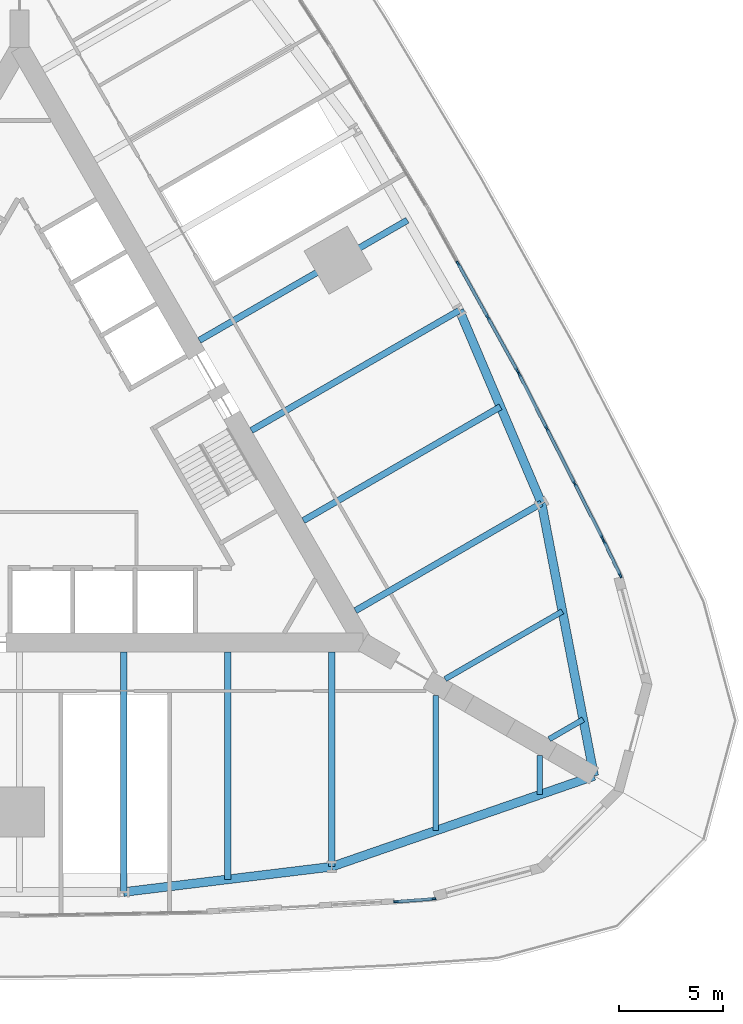
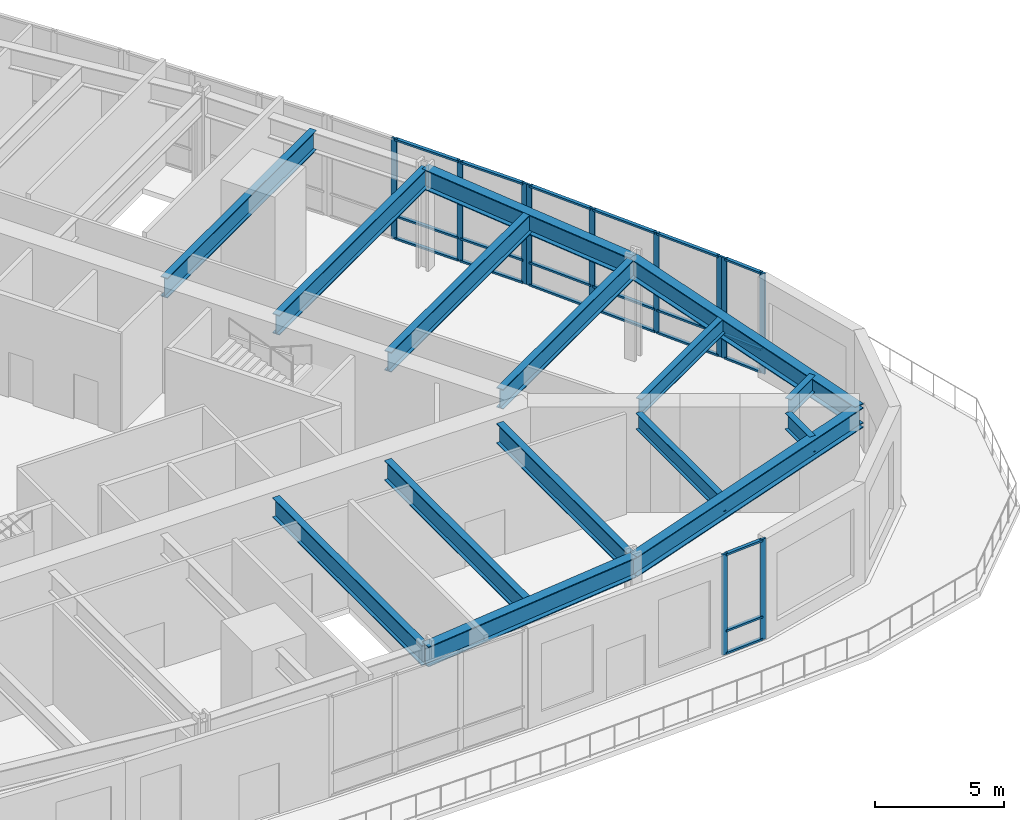
# One storey, part 3 of 13: 32 members, 15 beams, 4 elements without a shape of their own.
"""IFC4 building model written with IfcOpenShell, lengths in metres."""

import ifcopenshell
import ifcopenshell.guid

model = None  # the IFC model being written
_history = None  # IfcOwnerHistory: only IFC2X3 demands one
_inside = {}  # id of a spatial element -> (the spatial element, [elements in it])
_under = {}  # id of a project, library or spatial element -> (it, [spatial elements below it])
_declared = {}  # id of a project -> (the project, [libraries it declares])
_typed = {}  # id of a type object -> (the type object, [elements of that type])
_made_of = {}  # id of a material, layer set ... -> (it, [elements and type objects made of it])


def new_model(schema):
    """Start an empty IFC model of exactly this schema.

    Asked for "IFC4X3", IfcOpenShell would pick the latest addendum, in which some entities
    have other attributes; the version numbers below select the first issue.
    IFC2X3 requires an IfcOwnerHistory on every rooted entity: one is made here for all.
    """
    global model, _history
    if schema == "IFC4X3":
        model = ifcopenshell.file(schema_version=(4, 3, 0, 0))
    else:
        model = ifcopenshell.file(schema=schema)
    _inside.clear()
    _under.clear()
    _declared.clear()
    _typed.clear()
    _made_of.clear()
    _history = None
    if model.schema == "IFC2X3":
        org = make("IfcOrganization", Name="unknown")
        user = make(
            "IfcPersonAndOrganization",
            ThePerson=make("IfcPerson", FamilyName="unknown"),
            TheOrganization=org,
        )
        app = make(
            "IfcApplication",
            ApplicationDeveloper=org,
            Version="unknown",
            ApplicationFullName="unknown",
            ApplicationIdentifier="unknown",
        )
        _history = make(
            "IfcOwnerHistory",
            OwningUser=user,
            OwningApplication=app,
            ChangeAction="ADDED",
            CreationDate=0,
        )
    return model


def make(cls, **values):
    """One entity of the class cls with the attributes given. An attribute that is None is left unset."""
    return model.create_entity(
        cls, **{name: value for name, value in values.items() if value is not None}
    )


def rooted(cls, **values):
    """An entity with a GlobalId (a new one), such as an element, a storey or a relation."""
    return make(cls, GlobalId=ifcopenshell.guid.new(), OwnerHistory=_history, **values)


def si_unit(unit_type, name, prefix=None):
    """IfcSIUnit, for example si_unit("LENGTHUNIT", "METRE", prefix="MILLI")."""
    return make("IfcSIUnit", UnitType=unit_type, Prefix=prefix, Name=name)


def assignment(units):
    """IfcUnitAssignment: the units of a project."""
    return None if units is None else make("IfcUnitAssignment", Units=units)


def point(xyz):
    """IfcCartesianPoint."""
    return None if xyz is None else make("IfcCartesianPoint", Coordinates=xyz)


def direction(xyz):
    """IfcDirection."""
    return None if xyz is None else make("IfcDirection", DirectionRatios=xyz)


def frame(location, z_axis=None, x_axis=None):
    """IfcAxis2Placement3D, a coordinate frame: its origin and axes. An axis left out is left unset."""
    return make(
        "IfcAxis2Placement3D",
        Location=point(location),
        Axis=direction(z_axis),
        RefDirection=direction(x_axis),
    )


def frame_2d(location, x_axis=None):
    """IfcAxis2Placement2D, a coordinate frame in the plane: its origin and x axis."""
    return make(
        "IfcAxis2Placement2D", Location=point(location), RefDirection=direction(x_axis)
    )


def origin():
    """The frame at (0, 0, 0) with its axes left unset."""
    return frame((0.0, 0.0, 0.0))


def origin_2d():
    """The frame at (0, 0) in the plane with its x axis left unset."""
    return frame_2d((0.0, 0.0))


def place(relative_to, where):
    """IfcLocalPlacement: puts the frame where relative to a parent placement (None: the world)."""
    return make(
        "IfcLocalPlacement", PlacementRelTo=relative_to, RelativePlacement=where
    )


def context(
    kind, dimensions, precision=None, world=None, true_north=None, identifier=None
):
    """IfcGeometricRepresentationContext, for example the 3D "Model" context."""
    return make(
        "IfcGeometricRepresentationContext",
        ContextIdentifier=identifier,
        ContextType=kind,
        CoordinateSpaceDimension=dimensions,
        Precision=precision,
        WorldCoordinateSystem=world,
        TrueNorth=true_north,
    )


def subcontext(parent, identifier, kind, view, scale=None):
    """IfcGeometricRepresentationSubContext, for example "Body" below "Model"."""
    return make(
        "IfcGeometricRepresentationSubContext",
        ContextIdentifier=identifier,
        ContextType=kind,
        ParentContext=parent,
        TargetScale=scale,
        TargetView=view,
    )


def project(units=None, contexts=None):
    """IfcProject with its units and contexts."""
    return rooted(
        "IfcProject",
        Name="project",
        RepresentationContexts=contexts,
        UnitsInContext=assignment(units),
    )


def spatial(cls, under=None, at=None, **own):
    """A site, building, storey or space (cls), placed at a placement, below another one or the project."""
    s = rooted(cls, ObjectPlacement=at, **own)
    if under is not None:
        _under.setdefault(under.id(), (under, []))[1].append(s)
    return s


def profile(cls, at=None, kind="AREA", **sizes):
    """A parametric profile (cls). Its sizes go by their IFC names, for example OverallWidth=200.0."""
    return make(cls, ProfileType=kind, Position=at, **sizes)


def rectangle(**sizes):
    """IfcRectangleProfileDef."""
    return profile("IfcRectangleProfileDef", **sizes)


def i_section(**sizes):
    """IfcIShapeProfileDef."""
    return profile("IfcIShapeProfileDef", **sizes)


def extrude(swept, where, along, depth):
    """IfcExtrudedAreaSolid: the profile swept, set in the frame where, extruded along a direction by depth."""
    return make(
        "IfcExtrudedAreaSolid",
        SweptArea=swept,
        Position=where,
        ExtrudedDirection=direction(along),
        Depth=depth,
    )


def shape(context_of_items, identifier, shape_type, items):
    """IfcShapeRepresentation: the items that make up one representation, for example the "Body"."""
    return make(
        "IfcShapeRepresentation",
        ContextOfItems=context_of_items,
        RepresentationIdentifier=identifier,
        RepresentationType=shape_type,
        Items=items,
    )


def material(Name=None, Category=None):
    """IfcMaterial."""
    return make("IfcMaterial", Name=Name, Category=Category)


def material_profile(
    of_material, cross_section, Name=None, Category=None, Priority=None
):
    """IfcMaterialProfile: a cross section and its material."""
    return make(
        "IfcMaterialProfile",
        Name=Name,
        Material=of_material,
        Profile=cross_section,
        Priority=Priority,
        Category=Category,
    )


def profile_set(profiles, Name=None, composite=None):
    """IfcMaterialProfileSet."""
    return make(
        "IfcMaterialProfileSet",
        Name=Name,
        MaterialProfiles=profiles,
        CompositeProfile=composite,
    )


def made_of(thing, what):
    """Note that an element or type object is made of a material, layer set ...; save() writes the relation."""
    if what is not None:
        _made_of.setdefault(what.id(), (what, []))[1].append(thing)
    return thing


def type_object(cls, material=None, **own):
    """A type object (cls), such as IfcWallType, which elements share."""
    return made_of(rooted(cls, **own), material)


def element(
    cls,
    number,
    at=None,
    inside=None,
    cuts=None,
    type_object=None,
    material=None,
    context=None,
    identifier="Body",
    shape_type=None,
    held_by="IfcProductDefinitionShape",
    body=None,
    shapes=None,
    **own,
):
    """One element of the class cls, such as IfcWall. Its Tag is "e" and its number.

    at: its placement. inside: the storey or other place that contains it. cuts: it is an
    opening in that element (IfcRelVoidsElement). A single representation is given by context,
    identifier, shape_type and body (its items); several are given by shapes. held_by: the class
    of the entity that holds the representations. save() writes the other relations.
    """
    e = rooted(cls, Tag="e%d" % number, ObjectPlacement=at, **own)
    if body is not None:
        shapes = [shape(context, identifier, shape_type, body)]
    if shapes is not None:
        e.Representation = make(held_by, Representations=shapes)
    if inside is not None:
        _inside.setdefault(inside.id(), (inside, []))[1].append(e)
    if cuts is not None:
        rooted(
            "IfcRelVoidsElement", RelatingBuildingElement=cuts, RelatedOpeningElement=e
        )
    if type_object is not None:
        _typed.setdefault(type_object.id(), (type_object, []))[1].append(e)
    return made_of(e, material)


def aggregate(whole, parts):
    """IfcRelAggregates: a whole, such as a stair, and the parts it consists of."""
    return rooted("IfcRelAggregates", RelatingObject=whole, RelatedObjects=parts)


def save(model, path):
    """Write the relations noted so far, then the file.

    IfcRelAggregates (storeys below a building ...), IfcRelContainedInSpatialStructure (elements
    in a storey), IfcRelDefinesByType, IfcRelAssociatesMaterial and IfcRelDeclares: one each for
    every whole, place, type object, material and project.
    """
    for whole, parts in _under.values():
        aggregate(whole, parts)
    for where, things in _inside.values():
        rooted(
            "IfcRelContainedInSpatialStructure",
            RelatedElements=things,
            RelatingStructure=where,
        )
    for kind, things in _typed.values():
        rooted("IfcRelDefinesByType", RelatedObjects=things, RelatingType=kind)
    for what, things in _made_of.values():
        rooted("IfcRelAssociatesMaterial", RelatedObjects=things, RelatingMaterial=what)
    for by, libraries in _declared.values():
        rooted("IfcRelDeclares", RelatingContext=by, RelatedDefinitions=libraries)
    model.write(path)


model = new_model("IFC4")

# Units and contexts
model_context = context("Model", 3, precision=1e-05, world=origin(), true_north=direction((0.0, 1.0)))
body_context = subcontext(model_context, "Body", "Model", "MODEL_VIEW")
ifc_project = project(units=[si_unit("LENGTHUNIT", "METRE"), si_unit("AREAUNIT", "SQUARE_METRE"), si_unit("VOLUMEUNIT", "CUBIC_METRE"), si_unit("PLANEANGLEUNIT", "RADIAN"), si_unit("MASSUNIT", "GRAM", prefix="KILO")], contexts=[model_context])

# Site, building, storey
site_placement = place(None, origin())
site = spatial("IfcSite", under=ifc_project, at=site_placement, CompositionType="ELEMENT")
building_placement = place(site_placement, origin())
building = spatial("IfcBuilding", under=site, at=building_placement, Name="Trikona Tower", CompositionType="ELEMENT")
storey_placement = place(building_placement, frame((0.0, 0.0, 17.5)))
storey = spatial("IfcBuildingStorey", under=building, at=storey_placement, Name="L03", CompositionType="ELEMENT", Elevation=17.5)

# Curtain wall, members
ifc_material_1 = material(Name="Aluminium curtain wall system", Category="aluminium")
curtain_wall_type = type_object("IfcCurtainWallType", Name="Curtain wall PD", PredefinedType="NOTDEFINED", material=ifc_material_1)
curtain_wall_1_placement = place(storey_placement, origin())
curtain_wall_1 = element("IfcCurtainWall", 1, at=curtain_wall_1_placement, inside=storey, type_object=curtain_wall_type, Name="Curtain wall PD L03", PredefinedType="NOTDEFINED")
ifc_material_2 = material(Name="Aluminium mullion, pale anodised", Category="aluminium")
ifc_material_profile_1 = material_profile(ifc_material_2, rectangle(XDim=0.090087890625, YDim=0.25, at=origin_2d()), Name="MUL-PD")
ifc_profile_set_1 = profile_set([ifc_material_profile_1], Name="Aluminium mullion, pale anodised")
member_type_1 = type_object("IfcMemberType", Name="Mullion PD 90x250", PredefinedType="MULLION", material=ifc_profile_set_1)
member_1_placement = place(storey_placement, frame((18.09716796875, -21.983642578125, 0.0), z_axis=(0.0, 0.0, 1.0), x_axis=(-0.075775975095, 0.997124867606, 0.0)))
member_1 = element("IfcMember", 2, at=member_1_placement, type_object=member_type_1, Name="CW-PD mullion 1", PredefinedType="MULLION", context=body_context, shape_type="SweptSolid", body=[
    extrude(rectangle(XDim=0.090087890625, YDim=0.25, at=origin_2d()), origin(), (0.0, 0.0, 1.0), 4.75),
])
member_2_placement = place(storey_placement, frame((19.8876953125, -21.847412109375, 0.0), z_axis=(0.0, 0.0, 1.0), x_axis=(-0.075775975095, 0.997124867606, 0.0)))
member_2 = element("IfcMember", 3, at=member_2_placement, type_object=member_type_1, Name="CW-PD mullion 2", PredefinedType="MULLION", context=body_context, shape_type="SweptSolid", body=[
    extrude(rectangle(XDim=0.090087890625, YDim=0.25, at=origin_2d()), origin(), (0.0, 0.0, 1.0), 4.75),
])

curtain_wall_2_placement = place(storey_placement, origin())
curtain_wall_2 = element("IfcCurtainWall", 4, at=curtain_wall_2_placement, inside=storey, type_object=curtain_wall_type, Name="Curtain wall PD L03", PredefinedType="NOTDEFINED")
member_3_placement = place(storey_placement, frame((28.864501953125, -6.299560546875, 0.0), z_axis=(0.0, 0.0, 1.0), x_axis=(-0.901409662758, -0.432967227267, 0.0)))
member_3 = element("IfcMember", 5, at=member_3_placement, type_object=member_type_1, Name="CW-PD mullion 1", PredefinedType="MULLION", context=body_context, shape_type="SweptSolid", body=[
    extrude(rectangle(XDim=0.090087890625, YDim=0.25, at=origin_2d()), origin(), (0.0, 0.0, 1.0), 4.75),
])
member_4_placement = place(storey_placement, frame((28.0869140625, -4.6806640625, 0.0), z_axis=(0.0, 0.0, 1.0), x_axis=(-0.901409662758, -0.432967227267, 0.0)))
member_4 = element("IfcMember", 6, at=member_4_placement, type_object=member_type_1, Name="CW-PD mullion 2", PredefinedType="MULLION", context=body_context, shape_type="SweptSolid", body=[
    extrude(rectangle(XDim=0.090087890625, YDim=0.25, at=origin_2d()), origin(), (0.0, 0.0, 1.0), 4.75),
])

curtain_wall_3_placement = place(storey_placement, origin())
curtain_wall_3 = element("IfcCurtainWall", 7, at=curtain_wall_3_placement, inside=storey, type_object=curtain_wall_type, Name="Curtain wall PD L03", PredefinedType="NOTDEFINED")
member_5_placement = place(storey_placement, frame((27.994873046875, -4.494384765625, 0.0), z_axis=(0.0, 0.0, 1.0), x_axis=(-0.891725837511, -0.45257599441, 0.0)))
member_5 = element("IfcMember", 8, at=member_5_placement, type_object=member_type_1, Name="CW-PD mullion 1", PredefinedType="MULLION", context=body_context, shape_type="SweptSolid", body=[
    extrude(rectangle(XDim=0.090087890625, YDim=0.25, at=origin_2d()), origin(), (0.0, 0.0, 1.0), 4.75),
])
member_6_placement = place(storey_placement, frame((26.673583984375, -1.89111328125, 0.0), z_axis=(0.0, 0.0, 1.0), x_axis=(-0.891725837511, -0.45257599441, 0.0)))
member_6 = element("IfcMember", 9, at=member_6_placement, type_object=member_type_1, Name="CW-PD mullion 2", PredefinedType="MULLION", context=body_context, shape_type="SweptSolid", body=[
    extrude(rectangle(XDim=0.090087890625, YDim=0.25, at=origin_2d()), origin(), (0.0, 0.0, 1.0), 4.75),
])
member_7_placement = place(storey_placement, frame((25.33203125, 0.752197265625, 0.0), z_axis=(0.0, 0.0, 1.0), x_axis=(-0.891725837511, -0.45257599441, 0.0)))
member_7 = element("IfcMember", 10, at=member_7_placement, type_object=member_type_1, Name="CW-PD mullion 3", PredefinedType="MULLION", context=body_context, shape_type="SweptSolid", body=[
    extrude(rectangle(XDim=0.090087890625, YDim=0.25, at=origin_2d()), origin(), (0.0, 0.0, 1.0), 4.75),
])
member_8_placement = place(storey_placement, frame((24.010986328125, 3.35546875, 0.0), z_axis=(0.0, 0.0, 1.0), x_axis=(-0.891725837511, -0.45257599441, 0.0)))
member_8 = element("IfcMember", 11, at=member_8_placement, type_object=member_type_1, Name="CW-PD mullion 4", PredefinedType="MULLION", context=body_context, shape_type="SweptSolid", body=[
    extrude(rectangle(XDim=0.090087890625, YDim=0.25, at=origin_2d()), origin(), (0.0, 0.0, 1.0), 4.75),
])

curtain_wall_4_placement = place(storey_placement, origin())
curtain_wall_4 = element("IfcCurtainWall", 12, at=curtain_wall_4_placement, inside=storey, type_object=curtain_wall_type, Name="Curtain wall PD L03", PredefinedType="NOTDEFINED")
member_9_placement = place(storey_placement, frame((23.914306640625, 3.537841796875, 0.0), z_axis=(0.0, 0.0, 1.0), x_axis=(-0.874884432916, -0.484331734497, 0.0)))
member_9 = element("IfcMember", 13, at=member_9_placement, type_object=member_type_1, Name="CW-PD mullion 1", PredefinedType="MULLION", context=body_context, shape_type="SweptSolid", body=[
    extrude(rectangle(XDim=0.090087890625, YDim=0.25, at=origin_2d()), origin(), (0.0, 0.0, 1.0), 4.75),
])
member_10_placement = place(storey_placement, frame((22.502197265625, 6.088623046875, 0.0), z_axis=(0.0, 0.0, 1.0), x_axis=(-0.874884432916, -0.484331734497, 0.0)))
member_10 = element("IfcMember", 14, at=member_10_placement, type_object=member_type_1, Name="CW-PD mullion 2", PredefinedType="MULLION", context=body_context, shape_type="SweptSolid", body=[
    extrude(rectangle(XDim=0.090087890625, YDim=0.25, at=origin_2d()), origin(), (0.0, 0.0, 1.0), 4.75),
])
member_11_placement = place(storey_placement, frame((21.068359375, 8.6787109375, 0.0), z_axis=(0.0, 0.0, 1.0), x_axis=(-0.874884432916, -0.484331734497, 0.0)))
member_11 = element("IfcMember", 15, at=member_11_placement, type_object=member_type_1, Name="CW-PD mullion 3", PredefinedType="MULLION", context=body_context, shape_type="SweptSolid", body=[
    extrude(rectangle(XDim=0.090087890625, YDim=0.25, at=origin_2d()), origin(), (0.0, 0.0, 1.0), 4.75),
])

# Beams
ifc_material_3 = material(Name="Steel ASTM A992 Grade 50", Category="steel")
ifc_material_profile_2 = material_profile(ifc_material_3, i_section(OverallWidth=0.2666015625, OverallDepth=0.76953125, WebThickness=0.015625, FlangeThickness=0.025390625, at=origin_2d()), Name="W30X132")
ifc_profile_set_2 = profile_set([ifc_material_profile_2], Name="Steel ASTM A992 Grade 50")
beam_type_1 = type_object("IfcBeamType", Name="Steel beam W30x132 (wedge)", PredefinedType="BEAM", material=ifc_profile_set_2)
beam_1_placement = place(storey_placement, frame((20.0, -12.066650390625, 4.365234375), z_axis=(0.0, -1.0, 0.0), x_axis=(1.0, 0.0, 0.0)))
element("IfcBeam", 16, at=beam_1_placement, inside=storey, type_object=beam_type_1, Name="Floor beam L04 F1 u20", PredefinedType="BEAM", context=body_context, shape_type="SweptSolid", body=[
    extrude(i_section(OverallWidth=0.2666015625, OverallDepth=0.76953125, WebThickness=0.015625, FlangeThickness=0.025390625, at=origin_2d()), origin(), (0.0, 0.0, 1.0), 6.5068359375),
])
for number, where, z_axis, x_axis, name in (
    (17, (25.0, -14.953369140625, 4.365234375), (0.0, -1.0, 0.0), (1.0, 0.0, 0.0), "Floor beam L04 F1 u25"),
    (18, (25.449951171875, -14.173828125, 4.365234375), (0.866065156741, 0.499931139538, 0.0), (-0.499931139538, 0.866065156741, 0.0), "Floor beam L04 F2 u-25"),
):
    element("IfcBeam", number, at=place(storey_placement, frame(where, z_axis=z_axis, x_axis=x_axis)), inside=storey, type_object=beam_type_1, Name=name, PredefinedType="BEAM", context=body_context, shape_type="SweptSolid", body=[
        extrude(i_section(OverallWidth=0.2666015625, OverallDepth=0.76953125, WebThickness=0.015625, FlangeThickness=0.025390625, at=origin_2d()), origin(), (0.0, 0.0, 1.0), 1.890380859375),
    ])
beam_2_placement = place(storey_placement, frame((20.449951171875, -11.287109375, 4.365234375), z_axis=(0.866022504693, 0.50000502134, 0.0), x_axis=(-0.50000502134, 0.866022504693, 0.0)))
element("IfcBeam", 19, at=beam_2_placement, inside=storey, type_object=beam_type_1, Name="Floor beam L04 F2 u-20", PredefinedType="BEAM", context=body_context, shape_type="SweptSolid", body=[
    extrude(i_section(OverallWidth=0.2666015625, OverallDepth=0.76953125, WebThickness=0.015625, FlangeThickness=0.025390625, at=origin_2d()), origin(), (0.0, 0.0, 1.0), 6.5068359375),
])
ifc_material_4 = material(Name="Steel ASTM A992 Grade 50", Category="steel")
ifc_material_profile_3 = material_profile(ifc_material_4, i_section(OverallWidth=0.307373046875, OverallDepth=0.9423828125, WebThickness=0.022216796875, FlangeThickness=0.039794921875, at=origin_2d()), Name="W36X232")
ifc_profile_set_3 = profile_set([ifc_material_profile_3], Name="Steel ASTM A992 Grade 50")
beam_type_2 = type_object("IfcBeamType", Name="Steel beam W36x232 (radial low)", PredefinedType="BEAM", material=ifc_profile_set_3)
beam_3_placement = place(storey_placement, frame((5.0, -9.976318359375, 4.27880859375), z_axis=(0.0, -1.0, 0.0), x_axis=(1.0, 0.0, 0.0)))
element("IfcBeam", 20, at=beam_3_placement, inside=storey, type_object=beam_type_2, Name="Floor beam L04 F1 u5", PredefinedType="BEAM", context=body_context, shape_type="SweptSolid", body=[
    extrude(i_section(OverallWidth=0.307373046875, OverallDepth=0.9423828125, WebThickness=0.022216796875, FlangeThickness=0.039794921875, at=origin_2d()), origin(), (0.0, 0.0, 1.0), 11.544189453125),
])
beam_4_placement = place(storey_placement, frame((10.0, -9.976318359375, 4.27880859375), z_axis=(0.0, -1.0, 0.0), x_axis=(1.0, 0.0, 0.0)))
element("IfcBeam", 21, at=beam_4_placement, inside=storey, type_object=beam_type_2, Name="Floor beam L04 F1 u10", PredefinedType="BEAM", context=body_context, shape_type="SweptSolid", body=[
    extrude(i_section(OverallWidth=0.307373046875, OverallDepth=0.9423828125, WebThickness=0.022216796875, FlangeThickness=0.039794921875, at=origin_2d()), origin(), (0.0, 0.0, 1.0), 10.935302734375),
])
beam_5_placement = place(storey_placement, frame((15.0, -9.976318359375, 4.27880859375), z_axis=(0.0, -1.0, 0.0), x_axis=(1.0, 0.0, 0.0)))
element("IfcBeam", 22, at=beam_5_placement, inside=storey, type_object=beam_type_2, Name="Floor beam L04 F1 u15", PredefinedType="BEAM", context=body_context, shape_type="SweptSolid", body=[
    extrude(i_section(OverallWidth=0.307373046875, OverallDepth=0.9423828125, WebThickness=0.022216796875, FlangeThickness=0.039794921875, at=origin_2d()), origin(), (0.0, 0.0, 1.0), 10.32666015625),
])
beam_6_placement = place(storey_placement, frame((16.1396484375, -8.002197265625, 4.27880859375), z_axis=(0.866030471684, 0.499991222037, 0.0), x_axis=(-0.499991222037, 0.866030471684, 0.0)))
element("IfcBeam", 23, at=beam_6_placement, inside=storey, type_object=beam_type_2, Name="Floor beam L04 F2 u-15", PredefinedType="BEAM", context=body_context, shape_type="SweptSolid", body=[
    extrude(i_section(OverallWidth=0.307373046875, OverallDepth=0.9423828125, WebThickness=0.022216796875, FlangeThickness=0.039794921875, at=origin_2d()), origin(), (0.0, 0.0, 1.0), 10.326904296875),
])
beam_7_placement = place(storey_placement, frame((13.6396484375, -3.672119140625, 4.27880859375), z_axis=(0.866025348605, 0.500000095573, 0.0), x_axis=(-0.500000095573, 0.866025348605, 0.0)))
element("IfcBeam", 24, at=beam_7_placement, inside=storey, type_object=beam_type_2, Name="Floor beam L04 F2 u-10", PredefinedType="BEAM", context=body_context, shape_type="SweptSolid", body=[
    extrude(i_section(OverallWidth=0.307373046875, OverallDepth=0.9423828125, WebThickness=0.022216796875, FlangeThickness=0.039794921875, at=origin_2d()), origin(), (0.0, 0.0, 1.0), 10.935546875),
])
for number, where, z_axis, x_axis, name in (
    (25, (11.1396484375, 0.657958984375, 4.27880859375), (0.866020765707, 0.500008033299, 0.0), (-0.500008033299, 0.866020765707, 0.0), "Floor beam L04 F2 u-5"),
    (26, (8.6396484375, 4.988037109375, 4.27880859375), (0.866020765707, 0.500008033299, 0.0), (-0.500008033299, 0.866020765707, 0.0), "Floor beam L04 F2 u0"),
):
    element("IfcBeam", number, at=place(storey_placement, frame(where, z_axis=z_axis, x_axis=x_axis)), inside=storey, type_object=beam_type_2, Name=name, PredefinedType="BEAM", context=body_context, shape_type="SweptSolid", body=[
        extrude(i_section(OverallWidth=0.307373046875, OverallDepth=0.9423828125, WebThickness=0.022216796875, FlangeThickness=0.039794921875, at=origin_2d()), origin(), (0.0, 0.0, 1.0), 11.544189453125),
    ])
ifc_material_5 = material(Name="Steel ASTM A992 Grade 50", Category="steel")
ifc_material_profile_4 = material_profile(ifc_material_5, i_section(OverallWidth=0.424072265625, OverallDepth=0.947509765625, WebThickness=0.02392578125, FlangeThickness=0.042724609375, at=origin_2d()), Name="W36X302")
ifc_profile_set_4 = profile_set([ifc_material_profile_4], Name="Steel ASTM A992 Grade 50")
beam_type_3 = type_object("IfcBeamType", Name="Steel beam W36x302 (pod tower spandrel)", PredefinedType="BEAM", material=ifc_profile_set_4)
beam_8_placement = place(storey_placement, frame((5.0, -21.5205078125, 4.2763671875), z_axis=(0.99266951126, 0.120860421207, 0.0), x_axis=(-0.120860421207, 0.99266951126, 0.0)))
element("IfcBeam", 27, at=beam_8_placement, inside=storey, type_object=beam_type_3, Name="Spandrel beam L04 F1-4", PredefinedType="BEAM", context=body_context, shape_type="SweptSolid", body=[
    extrude(i_section(OverallWidth=0.424072265625, OverallDepth=0.947509765625, WebThickness=0.02392578125, FlangeThickness=0.042724609375, at=origin_2d()), origin(), (0.0, 0.0, 1.0), 10.07373046875),
])
for number, where, z_axis, x_axis, name in (
    (28, (15.0, -20.302978515625, 4.2763671875), (0.945056965739, 0.326905692071, 0.0), (-0.326905692071, 0.945056965739, 0.0), "Spandrel beam L04 F1-5"),
    (29, (27.6103515625, -15.94091796875, 4.2763671875), (-0.189405184036, 0.981899015307, 0.0), (-0.981899015307, -0.189405184036, 0.0), "Spandrel beam L04 F2-1"),
):
    element("IfcBeam", number, at=place(storey_placement, frame(where, z_axis=z_axis, x_axis=x_axis)), inside=storey, type_object=beam_type_3, Name=name, PredefinedType="BEAM", context=body_context, shape_type="SweptSolid", body=[
        extrude(i_section(OverallWidth=0.424072265625, OverallDepth=0.947509765625, WebThickness=0.02392578125, FlangeThickness=0.042724609375, at=origin_2d()), origin(), (0.0, 0.0, 1.0), 13.343505859375),
    ])
beam_9_placement = place(storey_placement, frame((25.0830078125, -2.8388671875, 4.2763671875), z_axis=(-0.391683514847, 0.920100007715, 0.0), x_axis=(-0.920100007715, -0.391683514847, 0.0)))
element("IfcBeam", 30, at=beam_9_placement, inside=storey, type_object=beam_type_3, Name="Spandrel beam L04 F2-2", PredefinedType="BEAM", context=body_context, shape_type="SweptSolid", body=[
    extrude(i_section(OverallWidth=0.424072265625, OverallDepth=0.947509765625, WebThickness=0.02392578125, FlangeThickness=0.042724609375, at=origin_2d()), origin(), (0.0, 0.0, 1.0), 10.073974609375),
])

# Member
ifc_material_6 = material(Name="Aluminium transom, pale anodised", Category="aluminium")
ifc_material_profile_5 = material_profile(ifc_material_6, rectangle(XDim=0.14990234375, YDim=0.090087890625, at=origin_2d()), Name="TRN-PD")
ifc_profile_set_5 = profile_set([ifc_material_profile_5], Name="Aluminium transom, pale anodised")
member_type_2 = type_object("IfcMemberType", Name="Transom PD 90x150", PredefinedType="USERDEFINED", material=ifc_profile_set_5)
member_12_placement = place(storey_placement, frame((18.141845703125, -21.980224609375, 0.044921875), z_axis=(0.997118954425, 0.075853745636, 0.0), x_axis=(-0.075853745636, 0.997118954425, 0.0)))
member_12 = element("IfcMember", 31, at=member_12_placement, type_object=member_type_2, Name="CW-PD transom 1.1", ObjectType="TRANSOM", PredefinedType="USERDEFINED", context=body_context, shape_type="SweptSolid", body=[
    extrude(rectangle(XDim=0.14990234375, YDim=0.090087890625, at=origin_2d()), origin(), (0.0, 0.0, 1.0), 1.705810546875),
])

member_13_placement = place(storey_placement, frame((18.141845703125, -21.980224609375, 1.10009765625), z_axis=(0.997118954425, 0.075853745636, 0.0), x_axis=(-0.075853745636, 0.997118954425, 0.0)))
member_13 = element("IfcMember", 32, at=member_13_placement, type_object=member_type_2, Name="CW-PD transom 1.2", ObjectType="TRANSOM", PredefinedType="USERDEFINED", context=body_context, shape_type="SweptSolid", body=[
    extrude(rectangle(XDim=0.14990234375, YDim=0.090087890625, at=origin_2d()), origin(), (0.0, 0.0, 1.0), 1.705810546875),
])

member_14_placement = place(storey_placement, frame((18.141845703125, -21.980224609375, 4.705078125), z_axis=(0.997118954425, 0.075853745636, 0.0), x_axis=(-0.075853745636, 0.997118954425, 0.0)))
member_14 = element("IfcMember", 33, at=member_14_placement, type_object=member_type_2, Name="CW-PD transom 1.3", ObjectType="TRANSOM", PredefinedType="USERDEFINED", context=body_context, shape_type="SweptSolid", body=[
    extrude(rectangle(XDim=0.14990234375, YDim=0.090087890625, at=origin_2d()), origin(), (0.0, 0.0, 1.0), 1.705810546875),
])

aggregate(curtain_wall_1, [member_1, member_2, member_12, member_13, member_14])

member_15_placement = place(storey_placement, frame((28.844970703125, -6.259033203125, 0.044921875), z_axis=(-0.432959051828, 0.901413589558, 0.0), x_axis=(-0.901413589558, -0.432959051828, 0.0)))
member_15 = element("IfcMember", 34, at=member_15_placement, type_object=member_type_2, Name="CW-PD transom 1.1", ObjectType="TRANSOM", PredefinedType="USERDEFINED", context=body_context, shape_type="SweptSolid", body=[
    extrude(rectangle(XDim=0.14990234375, YDim=0.090087890625, at=origin_2d()), origin(), (0.0, 0.0, 1.0), 1.705810546875),
])

member_16_placement = place(storey_placement, frame((28.844970703125, -6.259033203125, 1.10009765625), z_axis=(-0.432959051828, 0.901413589558, 0.0), x_axis=(-0.901413589558, -0.432959051828, 0.0)))
member_16 = element("IfcMember", 35, at=member_16_placement, type_object=member_type_2, Name="CW-PD transom 1.2", ObjectType="TRANSOM", PredefinedType="USERDEFINED", context=body_context, shape_type="SweptSolid", body=[
    extrude(rectangle(XDim=0.14990234375, YDim=0.090087890625, at=origin_2d()), origin(), (0.0, 0.0, 1.0), 1.705810546875),
])

member_17_placement = place(storey_placement, frame((28.844970703125, -6.259033203125, 4.705078125), z_axis=(-0.432959051828, 0.901413589558, 0.0), x_axis=(-0.901413589558, -0.432959051828, 0.0)))
member_17 = element("IfcMember", 36, at=member_17_placement, type_object=member_type_2, Name="CW-PD transom 1.3", ObjectType="TRANSOM", PredefinedType="USERDEFINED", context=body_context, shape_type="SweptSolid", body=[
    extrude(rectangle(XDim=0.14990234375, YDim=0.090087890625, at=origin_2d()), origin(), (0.0, 0.0, 1.0), 1.705810546875),
])

aggregate(curtain_wall_2, [member_3, member_4, member_15, member_16, member_17])

member_18_placement = place(storey_placement, frame((27.974609375, -4.454345703125, 0.044921875), z_axis=(-0.452589974942, 0.891718741859, 0.0), x_axis=(-0.891718741859, -0.452589974942, 0.0)))
member_18 = element("IfcMember", 37, at=member_18_placement, type_object=member_type_2, Name="CW-PD transom 1.1", ObjectType="TRANSOM", PredefinedType="USERDEFINED", context=body_context, shape_type="SweptSolid", body=[
    extrude(rectangle(XDim=0.14990234375, YDim=0.090087890625, at=origin_2d()), origin(), (0.0, 0.0, 1.0), 2.829345703125),
])

member_19_placement = place(storey_placement, frame((27.974609375, -4.454345703125, 1.10009765625), z_axis=(-0.452589974942, 0.891718741859, 0.0), x_axis=(-0.891718741859, -0.452589974942, 0.0)))
member_19 = element("IfcMember", 38, at=member_19_placement, type_object=member_type_2, Name="CW-PD transom 1.2", ObjectType="TRANSOM", PredefinedType="USERDEFINED", context=body_context, shape_type="SweptSolid", body=[
    extrude(rectangle(XDim=0.14990234375, YDim=0.090087890625, at=origin_2d()), origin(), (0.0, 0.0, 1.0), 2.829345703125),
])

member_20_placement = place(storey_placement, frame((27.974609375, -4.454345703125, 4.705078125), z_axis=(-0.452589974942, 0.891718741859, 0.0), x_axis=(-0.891718741859, -0.452589974942, 0.0)))
member_20 = element("IfcMember", 39, at=member_20_placement, type_object=member_type_2, Name="CW-PD transom 1.3", ObjectType="TRANSOM", PredefinedType="USERDEFINED", context=body_context, shape_type="SweptSolid", body=[
    extrude(rectangle(XDim=0.14990234375, YDim=0.090087890625, at=origin_2d()), origin(), (0.0, 0.0, 1.0), 2.829345703125),
])

member_21_placement = place(storey_placement, frame((26.6533203125, -1.85107421875, 0.044921875), z_axis=(-0.452539631158, 0.891744291953, 0.0), x_axis=(-0.891744291953, -0.452539631158, 0.0)))
member_21 = element("IfcMember", 40, at=member_21_placement, type_object=member_type_2, Name="CW-PD transom 2.1", ObjectType="TRANSOM", PredefinedType="USERDEFINED", context=body_context, shape_type="SweptSolid", body=[
    extrude(rectangle(XDim=0.14990234375, YDim=0.090087890625, at=origin_2d()), origin(), (0.0, 0.0, 1.0), 2.87451171875),
])

member_22_placement = place(storey_placement, frame((26.6533203125, -1.85107421875, 1.10009765625), z_axis=(-0.452539631158, 0.891744291953, 0.0), x_axis=(-0.891744291953, -0.452539631158, 0.0)))
member_22 = element("IfcMember", 41, at=member_22_placement, type_object=member_type_2, Name="CW-PD transom 2.2", ObjectType="TRANSOM", PredefinedType="USERDEFINED", context=body_context, shape_type="SweptSolid", body=[
    extrude(rectangle(XDim=0.14990234375, YDim=0.090087890625, at=origin_2d()), origin(), (0.0, 0.0, 1.0), 2.87451171875),
])

member_23_placement = place(storey_placement, frame((26.6533203125, -1.85107421875, 4.705078125), z_axis=(-0.452539631158, 0.891744291953, 0.0), x_axis=(-0.891744291953, -0.452539631158, 0.0)))
member_23 = element("IfcMember", 42, at=member_23_placement, type_object=member_type_2, Name="CW-PD transom 2.3", ObjectType="TRANSOM", PredefinedType="USERDEFINED", context=body_context, shape_type="SweptSolid", body=[
    extrude(rectangle(XDim=0.14990234375, YDim=0.090087890625, at=origin_2d()), origin(), (0.0, 0.0, 1.0), 2.87451171875),
])

member_24_placement = place(storey_placement, frame((25.311767578125, 0.792236328125, 0.044921875), z_axis=(-0.452555152185, 0.891736415221, 0.0), x_axis=(-0.891736415221, -0.452555152185, 0.0)))
member_24 = element("IfcMember", 43, at=member_24_placement, type_object=member_type_2, Name="CW-PD transom 3.1", ObjectType="TRANSOM", PredefinedType="USERDEFINED", context=body_context, shape_type="SweptSolid", body=[
    extrude(rectangle(XDim=0.14990234375, YDim=0.090087890625, at=origin_2d()), origin(), (0.0, 0.0, 1.0), 2.82958984375),
])

member_25_placement = place(storey_placement, frame((25.311767578125, 0.792236328125, 1.10009765625), z_axis=(-0.452555152185, 0.891736415221, 0.0), x_axis=(-0.891736415221, -0.452555152185, 0.0)))
member_25 = element("IfcMember", 44, at=member_25_placement, type_object=member_type_2, Name="CW-PD transom 3.2", ObjectType="TRANSOM", PredefinedType="USERDEFINED", context=body_context, shape_type="SweptSolid", body=[
    extrude(rectangle(XDim=0.14990234375, YDim=0.090087890625, at=origin_2d()), origin(), (0.0, 0.0, 1.0), 2.82958984375),
])

member_26_placement = place(storey_placement, frame((25.311767578125, 0.792236328125, 4.705078125), z_axis=(-0.452555152185, 0.891736415221, 0.0), x_axis=(-0.891736415221, -0.452555152185, 0.0)))
member_26 = element("IfcMember", 45, at=member_26_placement, type_object=member_type_2, Name="CW-PD transom 3.3", ObjectType="TRANSOM", PredefinedType="USERDEFINED", context=body_context, shape_type="SweptSolid", body=[
    extrude(rectangle(XDim=0.14990234375, YDim=0.090087890625, at=origin_2d()), origin(), (0.0, 0.0, 1.0), 2.82958984375),
])

aggregate(curtain_wall_3, [member_5, member_6, member_7, member_8, member_18, member_19, member_20, member_21, member_22, member_23, member_24, member_25, member_26])

member_27_placement = place(storey_placement, frame((23.892333984375, 3.5771484375, 0.044921875), z_axis=(-0.484285176879, 0.874910205367, 0.0), x_axis=(-0.874910205367, -0.484285176879, 0.0)))
member_27 = element("IfcMember", 46, at=member_27_placement, type_object=member_type_2, Name="CW-PD transom 1.1", ObjectType="TRANSOM", PredefinedType="USERDEFINED", context=body_context, shape_type="SweptSolid", body=[
    extrude(rectangle(XDim=0.14990234375, YDim=0.090087890625, at=origin_2d()), origin(), (0.0, 0.0, 1.0), 2.82568359375),
])

member_28_placement = place(storey_placement, frame((23.892333984375, 3.5771484375, 1.10009765625), z_axis=(-0.484285176879, 0.874910205367, 0.0), x_axis=(-0.874910205367, -0.484285176879, 0.0)))
member_28 = element("IfcMember", 47, at=member_28_placement, type_object=member_type_2, Name="CW-PD transom 1.2", ObjectType="TRANSOM", PredefinedType="USERDEFINED", context=body_context, shape_type="SweptSolid", body=[
    extrude(rectangle(XDim=0.14990234375, YDim=0.090087890625, at=origin_2d()), origin(), (0.0, 0.0, 1.0), 2.82568359375),
])

member_29_placement = place(storey_placement, frame((23.892333984375, 3.5771484375, 4.705078125), z_axis=(-0.484285176879, 0.874910205367, 0.0), x_axis=(-0.874910205367, -0.484285176879, 0.0)))
member_29 = element("IfcMember", 48, at=member_29_placement, type_object=member_type_2, Name="CW-PD transom 1.3", ObjectType="TRANSOM", PredefinedType="USERDEFINED", context=body_context, shape_type="SweptSolid", body=[
    extrude(rectangle(XDim=0.14990234375, YDim=0.090087890625, at=origin_2d()), origin(), (0.0, 0.0, 1.0), 2.82568359375),
])

member_30_placement = place(storey_placement, frame((22.480224609375, 6.1279296875, 0.044921875), z_axis=(-0.484277519526, 0.874914443864, 0.0), x_axis=(-0.874914443864, -0.484277519526, 0.0)))
member_30 = element("IfcMember", 49, at=member_30_placement, type_object=member_type_2, Name="CW-PD transom 2.1", ObjectType="TRANSOM", PredefinedType="USERDEFINED", context=body_context, shape_type="SweptSolid", body=[
    extrude(rectangle(XDim=0.14990234375, YDim=0.090087890625, at=origin_2d()), origin(), (0.0, 0.0, 1.0), 2.87060546875),
])

member_31_placement = place(storey_placement, frame((22.480224609375, 6.1279296875, 1.10009765625), z_axis=(-0.484277519526, 0.874914443864, 0.0), x_axis=(-0.874914443864, -0.484277519526, 0.0)))
member_31 = element("IfcMember", 50, at=member_31_placement, type_object=member_type_2, Name="CW-PD transom 2.2", ObjectType="TRANSOM", PredefinedType="USERDEFINED", context=body_context, shape_type="SweptSolid", body=[
    extrude(rectangle(XDim=0.14990234375, YDim=0.090087890625, at=origin_2d()), origin(), (0.0, 0.0, 1.0), 2.87060546875),
])

member_32_placement = place(storey_placement, frame((22.480224609375, 6.1279296875, 4.705078125), z_axis=(-0.484277519526, 0.874914443864, 0.0), x_axis=(-0.874914443864, -0.484277519526, 0.0)))
member_32 = element("IfcMember", 51, at=member_32_placement, type_object=member_type_2, Name="CW-PD transom 2.3", ObjectType="TRANSOM", PredefinedType="USERDEFINED", context=body_context, shape_type="SweptSolid", body=[
    extrude(rectangle(XDim=0.14990234375, YDim=0.090087890625, at=origin_2d()), origin(), (0.0, 0.0, 1.0), 2.87060546875),
])

aggregate(curtain_wall_4, [member_9, member_10, member_11, member_27, member_28, member_29, member_30, member_31, member_32])

save(model, "model.ifc")
